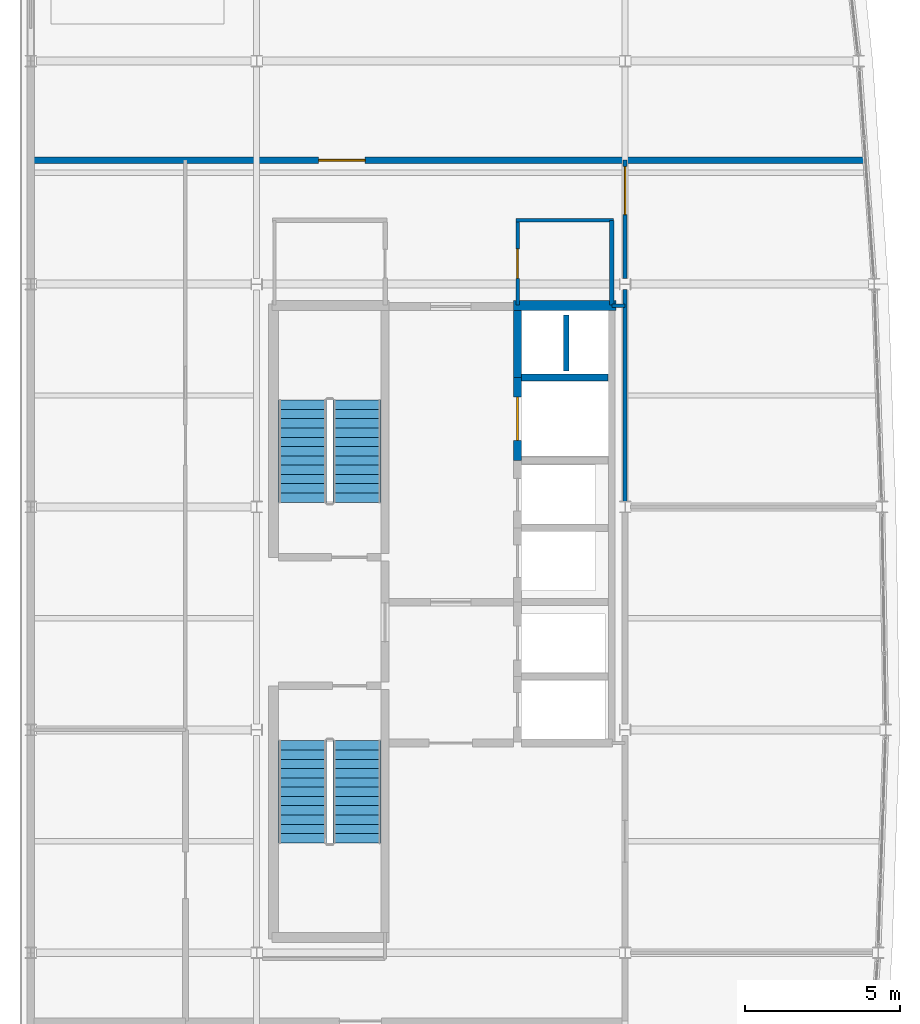
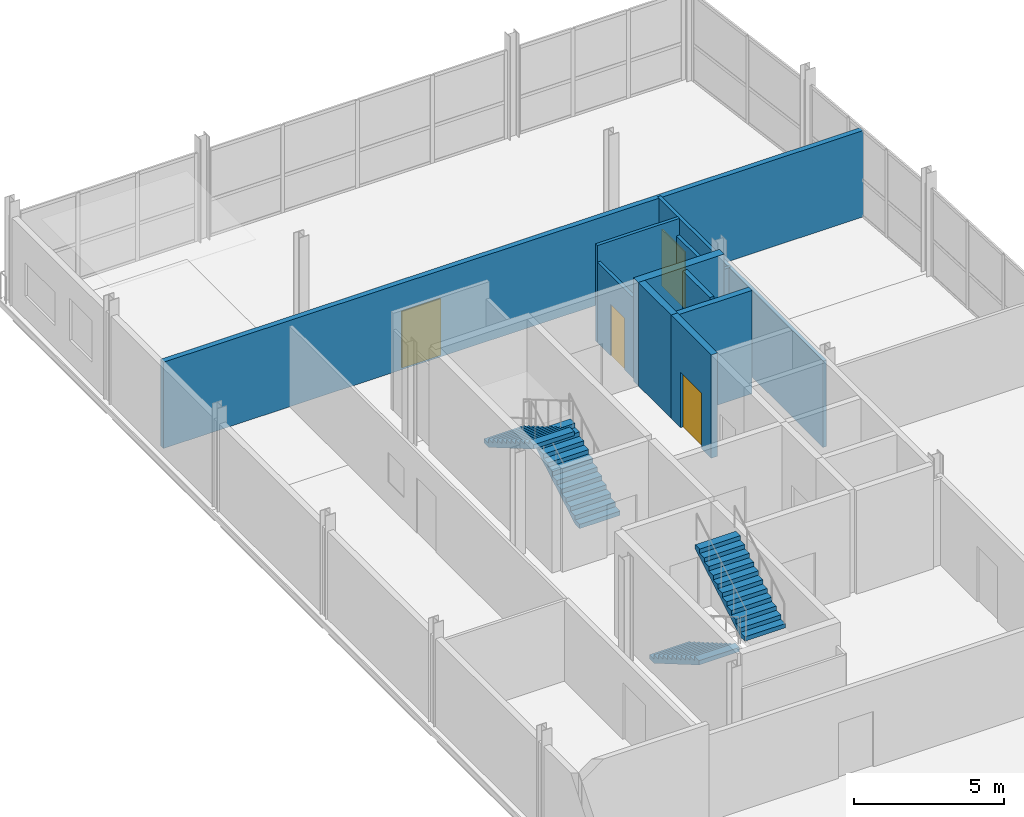
# One storey, part 17 of 20: 12 walls, 4 doors, 4 stair flights, 4 openings, 2 elements without a shape of their own.
"""IFC4 building model written with IfcOpenShell, lengths in metres."""

from ifc_helpers import new_model, si_unit, direction, frame, frame_2d, origin, place, context, subcontext, project, spatial, polyline, rectangle, outline, extrude, material, layer, layer_set, type_object, element, fill, aggregate, save


model = new_model("IFC4")

# Units and contexts
model_context = context("Model", 3, precision=1e-05, world=origin(), true_north=direction((0.0, 1.0)))
body_context = subcontext(model_context, "Body", "Model", "MODEL_VIEW")
ifc_project = project(units=[si_unit("LENGTHUNIT", "METRE"), si_unit("AREAUNIT", "SQUARE_METRE"), si_unit("VOLUMEUNIT", "CUBIC_METRE"), si_unit("PLANEANGLEUNIT", "RADIAN"), si_unit("MASSUNIT", "GRAM", prefix="KILO")], contexts=[model_context])

# Site, building, storey
site_placement = place(None, origin())
site = spatial("IfcSite", under=ifc_project, at=site_placement, CompositionType="ELEMENT")
building_placement = place(site_placement, origin())
building = spatial("IfcBuilding", under=site, at=building_placement, Name="Quillay Park Conservatory", CompositionType="ELEMENT")
storey_placement = place(building_placement, frame((0.0, 0.0, 26.699951171875)))
storey = spatial("IfcBuildingStorey", under=building, at=storey_placement, Name="L06", CompositionType="ELEMENT", Elevation=26.699951171875)

# Wall
ifc_material_1 = material(Name="Steel-Stud Acoustic Gypsum Board Partition", Category="steel")
ifc_layer_1 = layer(ifc_material_1, 0.114990234375)
ifc_layer_set_1 = layer_set([ifc_layer_1], Name="ACOUSTIC GYPSUM PARTITION 115 (Steel-Stud Acoustic Gypsum Board Partition)")
wall_type_1 = type_object("IfcWallType", Name="ACOUSTIC GYPSUM PARTITION 115", PredefinedType="PARTITIONING", material=ifc_layer_set_1)
wall_1_placement = place(storey_placement, frame((19.75, 98.89990234375, 0.0), z_axis=(0.0, 0.0, 1.0), x_axis=(-1.0, 0.0, 0.0)))
element("IfcWall", 1, at=wall_1_placement, inside=storey, type_object=wall_type_1, Name="L06 Core North-East Closure", PredefinedType="PARTITIONING", context=body_context, shape_type="SweptSolid", body=[
    extrude(rectangle(XDim=0.429931640625, YDim=0.114990234375, at=frame_2d((0.21484375, 0.0))), origin(), (0.0, 0.0, 1.0), 3.507080078125),
])

# Wall, opening, door
ifc_material_2 = material(Name="Steel-Stud Acoustic Gypsum Board Partition", Category="steel")
ifc_layer_2 = layer(ifc_material_2, 0.1201171875)
ifc_layer_set_2 = layer_set([ifc_layer_2], Name="ACOUSTIC GYPSUM PARTITION 120 (Steel-Stud Acoustic Gypsum Board Partition)")
wall_type_2 = type_object("IfcWallType", Name="ACOUSTIC GYPSUM PARTITION 120", PredefinedType="PARTITIONING", material=ifc_layer_set_2)
wall_2_placement = place(storey_placement, frame((16.280029296875, 98.919921875, 0.0), z_axis=(0.0, 0.0, 1.0), x_axis=(0.0, 1.0, 0.0)))
wall_2 = element("IfcWall", 2, at=wall_2_placement, inside=storey, type_object=wall_type_2, Name="L06 Washroom Door Wall", PredefinedType="PARTITIONING", context=body_context, shape_type="SweptSolid", body=[
    extrude(rectangle(XDim=2.68017578125, YDim=0.1201171875, at=frame_2d((1.340087890625, 0.0))), origin(), (0.0, 0.0, 1.0), 3.277099609375),
])
opening_1_placement = place(wall_2_placement, frame((0.864990234375, 0.0, 0.0)))
opening_1 = element("IfcOpeningElement", 3, at=opening_1_placement, cuts=wall_2, Name="Opening D-RM02", PredefinedType="OPENING", context=body_context, shape_type="SweptSolid", body=[
    extrude(rectangle(XDim=0.949951171875, YDim=2.10009765625, at=frame_2d((0.47509765625, 1.050048828125))), frame((0.0, 0.06005859375, 0.0), z_axis=(0.0, -1.0, 0.0), x_axis=(1.0, 0.0, 0.0)), (0.0, 0.0, 1.0), 0.1201171875),
])
ifc_material_3 = material(Name="Thermally Broken Anodised Aluminium 6063-T6", Category="aluminium")
door_type_1 = type_object("IfcDoorType", Name="SINGLE SWING DOOR 950 X2100", OperationType="NOTDEFINED", PredefinedType="DOOR", material=ifc_material_3)
door_1_placement = place(opening_1_placement, origin())
door_1 = element("IfcDoor", 4, at=door_1_placement, inside=storey, type_object=door_type_1, Name="L06 Door to L06 Restroom and Washroom", OperationType="SINGLE_SWING_RIGHT", OverallHeight=2.10009765625, OverallWidth=0.949951171875, PredefinedType="DOOR", context=body_context, shape_type="SweptSolid", body=[
    extrude(rectangle(XDim=0.949951171875, YDim=2.10009765625, at=frame_2d((0.47509765625, 1.050048828125))), frame((0.0, 0.02490234375, 0.0), z_axis=(0.0, -1.0, 0.0), x_axis=(1.0, 0.0, 0.0)), (0.0, 0.0, 1.0), 0.050048828125),
])
fill(opening_1, door_1)

# Walls
ifc_material_4 = material(Name="Steel-Stud Acoustic Gypsum Board Partition", Category="steel")
ifc_layer_3 = layer(ifc_material_4, 0.125)
ifc_layer_set_3 = layer_set([ifc_layer_3], Name="ACOUSTIC GYPSUM PARTITION 125 (Steel-Stud Acoustic Gypsum Board Partition)")
wall_type_3 = type_object("IfcWallType", Name="ACOUSTIC GYPSUM PARTITION 125", PredefinedType="PARTITIONING", material=ifc_layer_set_3)
wall_3_placement = place(storey_placement, frame((19.3798828125, 101.659912109375, 0.0), z_axis=(0.0, 0.0, 1.0), x_axis=(-1.0, 0.0, 0.0)))
element("IfcWall", 5, at=wall_3_placement, inside=storey, type_object=wall_type_3, Name="L06 Washroom North Wall", PredefinedType="PARTITIONING", context=body_context, shape_type="SweptSolid", body=[
    extrude(rectangle(XDim=3.159912109375, YDim=0.125, at=frame_2d((1.580078125, 0.0))), origin(), (0.0, 0.0, 1.0), 3.949951171875),
])
ifc_material_5 = material(Name="Steel-Stud Acoustic Gypsum Board Partition", Category="steel")
ifc_layer_4 = layer(ifc_material_5, 0.1298828125)
ifc_layer_set_4 = layer_set([ifc_layer_4], Name="ACOUSTIC GYPSUM PARTITION 130 (Steel-Stud Acoustic Gypsum Board Partition)")
wall_type_4 = type_object("IfcWallType", Name="ACOUSTIC GYPSUM PARTITION 130", PredefinedType="PARTITIONING", material=ifc_layer_set_4)
wall_4_placement = place(storey_placement, frame((19.320068359375, 98.919921875, 0.0), z_axis=(0.0, 0.0, 1.0), x_axis=(0.0, 1.0, 0.0)))
element("IfcWall", 6, at=wall_4_placement, inside=storey, type_object=wall_type_4, Name="L06 Washroom East Wall", PredefinedType="PARTITIONING", context=body_context, shape_type="SweptSolid", body=[
    extrude(rectangle(XDim=2.739990234375, YDim=0.1298828125, at=frame_2d((1.3701171875, 0.0))), origin(), (0.0, 0.0, 1.0), 3.277099609375),
])

# Wall, opening, door
wall_5_placement = place(storey_placement, frame((19.75, 99.781982421875, 0.0), z_axis=(0.0, 0.0, 1.0), x_axis=(0.0, 1.0, 0.0)))
wall_5 = element("IfcWall", 7, at=wall_5_placement, inside=storey, type_object=wall_type_4, Name="L06 L06 Vascular Loan Dispatch Studio West Wall 2", PredefinedType="PARTITIONING", context=body_context, shape_type="SweptSolid", body=[
    extrude(rectangle(XDim=3.818115234375, YDim=0.1298828125, at=frame_2d((1.9091796875, 0.0))), origin(), (0.0, 0.0, 1.0), 3.507080078125),
])
opening_2_placement = place(wall_5_placement, frame((2.06298828125, 0.0, 0.0)))
opening_2 = element("IfcOpeningElement", 8, at=opening_2_placement, cuts=wall_5, Name="Opening D-RM26", PredefinedType="OPENING", context=body_context, shape_type="SweptSolid", body=[
    extrude(rectangle(XDim=1.550048828125, YDim=2.300048828125, at=frame_2d((0.77490234375, 1.14990234375))), frame((0.0, 0.06494140625, 0.0), z_axis=(0.0, -1.0, 0.0), x_axis=(1.0, 0.0, 0.0)), (0.0, 0.0, 1.0), 0.1298828125),
])
ifc_material_6 = material(Name="Thermally Broken Anodised Aluminium 6063-T6", Category="aluminium")
door_type_2 = type_object("IfcDoorType", Name="SINGLE SWING DOOR 1550 X2300", OperationType="NOTDEFINED", PredefinedType="DOOR", material=ifc_material_6)
door_2_placement = place(opening_2_placement, origin())
door_2 = element("IfcDoor", 9, at=door_2_placement, inside=storey, type_object=door_type_2, Name="L06 Door to L06 Vascular Loan Dispatch Studio", OperationType="SINGLE_SWING_RIGHT", OverallHeight=2.300048828125, OverallWidth=1.550048828125, PredefinedType="DOOR", context=body_context, shape_type="SweptSolid", body=[
    extrude(rectangle(XDim=1.550048828125, YDim=2.300048828125, at=frame_2d((0.77490234375, 1.14990234375))), frame((0.0, 0.02490234375, 0.0), z_axis=(0.0, -1.0, 0.0), x_axis=(1.0, 0.0, 0.0)), (0.0, 0.0, 1.0), 0.050048828125),
])
fill(opening_2, door_2)

# Walls
ifc_material_7 = material(Name="Steel-Stud Acoustic Gypsum Board Partition", Category="steel")
ifc_layer_5 = layer(ifc_material_7, 0.139892578125)
ifc_layer_set_5 = layer_set([ifc_layer_5], Name="ACOUSTIC GYPSUM PARTITION 140 (Steel-Stud Acoustic Gypsum Board Partition)")
wall_type_5 = type_object("IfcWallType", Name="ACOUSTIC GYPSUM PARTITION 140", PredefinedType="PARTITIONING", material=ifc_layer_set_5)
wall_6_placement = place(storey_placement, frame((19.75, 92.5810546875, 0.0), z_axis=(0.0, 0.0, 1.0), x_axis=(0.0, 1.0, 0.0)))
element("IfcWall", 10, at=wall_6_placement, inside=storey, type_object=wall_type_5, Name="L06 L06 Vascular Loan Dispatch Studio West Wall 1", PredefinedType="PARTITIONING", context=body_context, shape_type="SweptSolid", body=[
    extrude(rectangle(XDim=6.8369140625, YDim=0.139892578125, at=frame_2d((3.41845703125, 0.0))), origin(), (0.0, 0.0, 1.0), 3.507080078125),
])
ifc_material_8 = material(Name="Concrete C35/45 (NCh170 Concrete C35/45)", Category="concrete")
ifc_layer_6 = layer(ifc_material_8, 0.22509765625)
ifc_layer_set_6 = layer_set([ifc_layer_6], Name="CORE SHEAR WALL 225 (Concrete C35/45 (NCh170 Concrete C35/45))")
wall_type_6 = type_object("IfcWallType", Name="CORE SHEAR WALL 225", PredefinedType="SHEAR", material=ifc_layer_set_6)
wall_7_placement = place(storey_placement, frame((16.39990234375, 96.574951171875, 0.0), z_axis=(0.0, 0.0, 1.0), x_axis=(1.0, 0.0, 0.0)))
element("IfcWall", 11, at=wall_7_placement, inside=storey, type_object=wall_type_6, Name="L06 Core Shear Wall WL-LFDIV-L06-965", PredefinedType="SHEAR", context=body_context, shape_type="SweptSolid", body=[
    extrude(rectangle(XDim=2.800048828125, YDim=0.22509765625, at=frame_2d((1.39990234375, 0.0))), origin(), (0.0, 0.0, 1.0), 4.199951171875),
])

# Wall, opening, door
ifc_material_9 = material(Name="Concrete C40/50 (NCh170 Concrete C40/50)", Category="concrete")
ifc_layer_7 = layer(ifc_material_9, 0.25)
ifc_layer_set_7 = layer_set([ifc_layer_7], Name="CORE SHEAR WALL 250 (Concrete C40/50 (NCh170 Concrete C40/50))")
wall_type_7 = type_object("IfcWallType", Name="CORE SHEAR WALL 250", PredefinedType="SHEAR", material=ifc_layer_set_7)
wall_8_placement = place(storey_placement, frame((16.27490234375, 93.89990234375, 0.0), z_axis=(0.0, 0.0, 1.0), x_axis=(0.0, 1.0, 0.0)))
wall_8 = element("IfcWall", 12, at=wall_8_placement, inside=storey, type_object=wall_type_7, Name="L06 Core Shear Wall WL-LFFR-L06-LF-G1", PredefinedType="SHEAR", context=body_context, shape_type="SweptSolid", body=[
    extrude(rectangle(XDim=2.675048828125, YDim=0.25, at=frame_2d((1.33740234375, 0.0))), origin(), (0.0, 0.0, 1.0), 4.199951171875),
])
opening_3_placement = place(wall_8_placement, frame((0.64990234375, 0.0, 0.0)))
opening_3 = element("IfcOpeningElement", 13, at=opening_3_placement, cuts=wall_8, Name="Opening LD03", PredefinedType="OPENING", context=body_context, shape_type="SweptSolid", body=[
    extrude(rectangle(XDim=1.39990234375, YDim=2.25, at=frame_2d((0.699951171875, 1.125))), frame((0.0, 0.125, 0.0), z_axis=(0.0, -1.0, 0.0), x_axis=(1.0, 0.0, 0.0)), (0.0, 0.0, 1.0), 0.25),
])
ifc_material_10 = material(Name="Steel ASTM A572 Grade 50", Category="steel")
door_type_3 = type_object("IfcDoorType", Name="LIFT LANDING SLIDING DOOR 1400 X2250", OperationType="NOTDEFINED", PredefinedType="DOOR", material=ifc_material_10)
door_3_placement = place(opening_3_placement, origin())
door_3 = element("IfcDoor", 14, at=door_3_placement, inside=storey, type_object=door_type_3, Name="L06 LF-G1 Lift Landing Door LD03", OperationType="SLIDING_TO_LEFT", OverallHeight=2.25, OverallWidth=1.39990234375, PredefinedType="DOOR", context=body_context, shape_type="SweptSolid", body=[
    extrude(rectangle(XDim=1.39990234375, YDim=2.25, at=frame_2d((0.699951171875, 1.125))), frame((0.0, 0.02490234375, 0.0), z_axis=(0.0, -1.0, 0.0), x_axis=(1.0, 0.0, 0.0)), (0.0, 0.0, 1.0), 0.050048828125),
])
fill(opening_3, door_3)

# Walls
wall_9_placement = place(storey_placement, frame((16.27490234375, 96.574951171875, 0.0), z_axis=(0.0, 0.0, 1.0), x_axis=(0.0, 1.0, 0.0)))
element("IfcWall", 15, at=wall_9_placement, inside=storey, type_object=wall_type_7, Name="L06 Core Shear Wall WL-MEPR-L06", PredefinedType="SHEAR", context=body_context, shape_type="SweptSolid", body=[
    extrude(rectangle(XDim=2.175048828125, YDim=0.25, at=frame_2d((1.08740234375, 0.0))), origin(), (0.0, 0.0, 1.0), 4.199951171875),
])
ifc_material_11 = material(Name="Concrete C40/50 (NCh170 Concrete C40/50)", Category="concrete")
ifc_layer_8 = layer(ifc_material_11, 0.320068359375)
ifc_layer_set_8 = layer_set([ifc_layer_8], Name="CORE SHEAR WALL 320 (Concrete C40/50 (NCh170 Concrete C40/50))")
wall_type_8 = type_object("IfcWallType", Name="CORE SHEAR WALL 320", PredefinedType="SHEAR", material=ifc_layer_set_8)
wall_10_placement = place(storey_placement, frame((16.14990234375, 98.909912109375, 0.0), z_axis=(0.0, 0.0, 1.0), x_axis=(1.0, 0.0, 0.0)))
element("IfcWall", 16, at=wall_10_placement, inside=storey, type_object=wall_type_8, Name="L06 Core Shear Wall WL-TCN-E-L06", PredefinedType="SHEAR", context=body_context, shape_type="SweptSolid", body=[
    extrude(rectangle(XDim=3.300048828125, YDim=0.320068359375, at=frame_2d((1.64990234375, 0.0))), origin(), (0.0, 0.0, 1.0), 4.199951171875),
])
ifc_material_12 = material(Name="Steel-Stud Acoustic Gypsum Board Partition", Category="steel")
ifc_layer_9 = layer(ifc_material_12, 0.1650390625)
ifc_layer_set_9 = layer_set([ifc_layer_9], Name="PLUMBING SHAFT WALL 165 (Steel-Stud Acoustic Gypsum Board Partition)")
wall_type_9 = type_object("IfcWallType", Name="PLUMBING SHAFT WALL 165", PredefinedType="PLUMBINGWALL", material=ifc_layer_set_9)
wall_11_placement = place(storey_placement, frame((17.85009765625, 96.800048828125, 0.0), z_axis=(0.0, 0.0, 1.0), x_axis=(0.0, 1.0, 0.0)))
element("IfcWall", 17, at=wall_11_placement, inside=storey, type_object=wall_type_9, Name="L06 Plumbing Riser Wall", PredefinedType="PLUMBINGWALL", context=body_context, shape_type="SweptSolid", body=[
    extrude(rectangle(XDim=1.800048828125, YDim=0.1650390625, at=frame_2d((0.89990234375, 0.0))), origin(), (0.0, 0.0, 1.0), 4.199951171875),
])

# Wall, opening, door
ifc_material_13 = material(Name="Concrete C35/45 (NCh170 Concrete C35/45)", Category="concrete")
ifc_layer_10 = layer(ifc_material_13, 0.199951171875)
ifc_layer_set_10 = layer_set([ifc_layer_10], Name="SOLID VAULT WALL 200 (Concrete C35/45 (NCh170 Concrete C35/45))")
wall_type_10 = type_object("IfcWallType", Name="SOLID VAULT WALL 200", PredefinedType="SOLIDWALL", material=ifc_layer_set_10)
wall_12_placement = place(storey_placement, frame((0.64990234375, 103.60009765625, 0.0), z_axis=(0.0, 0.0, 1.0), x_axis=(1.0, 0.0, 0.0)))
wall_12 = element("IfcWall", 18, at=wall_12_placement, inside=storey, type_object=wall_type_10, Name="L06 L06 Herbarium Compact Shelving Vault North South Wall", PredefinedType="SOLIDWALL", context=body_context, shape_type="SweptSolid", body=[
    extrude(rectangle(XDim=26.89013671875, YDim=0.199951171875, at=frame_2d((13.445068359375, 0.0))), origin(), (0.0, 0.0, 1.0), 3.507080078125),
])
opening_4_placement = place(wall_12_placement, frame((9.199951171875, 0.0, 0.0)))
opening_4 = element("IfcOpeningElement", 19, at=opening_4_placement, cuts=wall_12, Name="Opening D-HB02", PredefinedType="OPENING", context=body_context, shape_type="SweptSolid", body=[
    extrude(rectangle(XDim=1.5, YDim=2.300048828125, at=frame_2d((0.75, 1.14990234375))), frame((0.0, 0.10009765625, 0.0), z_axis=(0.0, -1.0, 0.0), x_axis=(1.0, 0.0, 0.0)), (0.0, 0.0, 1.0), 0.199951171875),
])
ifc_material_14 = material(Name="Steel ASTM A572 Grade 50", Category="steel")
door_type_4 = type_object("IfcDoorType", Name="FIRE RATED VAULT DOOR 1500 X2300", OperationType="NOTDEFINED", PredefinedType="DOOR", material=ifc_material_14)
door_4_placement = place(opening_4_placement, origin())
door_4 = element("IfcDoor", 20, at=door_4_placement, inside=storey, type_object=door_type_4, Name="L06 Door to L06 Herbarium Compact Shelving Vault North", OperationType="SINGLE_SWING_RIGHT", OverallHeight=2.300048828125, OverallWidth=1.5, PredefinedType="DOOR", context=body_context, shape_type="SweptSolid", body=[
    extrude(rectangle(XDim=1.5, YDim=2.300048828125, at=frame_2d((0.75, 1.14990234375))), frame((0.0, 0.02490234375, 0.0), z_axis=(0.0, -1.0, 0.0), x_axis=(1.0, 0.0, 0.0)), (0.0, 0.0, 1.0), 0.050048828125),
])
fill(opening_4, door_4)

# Stair, stair flights
ifc_material_15 = material(Name="Concrete C35/45 (NCh170 Concrete C35/45)", Category="concrete")
stair_type = type_object("IfcStairType", Name="ENCLOSED DOG LEG STAIR 4200", PredefinedType="HALF_TURN_STAIR", material=ifc_material_15)
stair_1_placement = place(storey_placement, origin())
stair_1 = element("IfcStair", 21, at=stair_1_placement, inside=storey, type_object=stair_type, Name="L06 Tower Protected Exit Stair 1", PredefinedType="HALF_TURN_STAIR")
ifc_material_16 = material(Name="Concrete C35/45 (NCh170 Concrete C35/45)", Category="concrete")
stair_flight_type = type_object("IfcStairFlightType", Name="STRAIGHT STAIR FLIGHT 4200", PredefinedType="STRAIGHT", material=ifc_material_16)
stair_flight_1_placement = place(storey_placement, frame((11.090087890625, 92.550048828125, 0.0), z_axis=(0.0, 0.0, 1.0), x_axis=(0.0, 1.0, 0.0)))
stair_flight_1 = element("IfcStairFlight", 22, at=stair_flight_1_placement, type_object=stair_flight_type, Name="ST-T1 flight 1", NumberOfRisers=12, NumberOfTreads=11, PredefinedType="STRAIGHT", RiserHeight=0.175, TreadLength=0.3, context=body_context, shape_type="SweptSolid", body=[
    extrude(outline(polyline([(0.0, 0.0), (0.0, 0.175048828125), (0.300048828125, 0.175048828125), (0.300048828125, 0.35009765625), (0.60009765625, 0.35009765625), (0.60009765625, 0.52490234375), (0.89990234375, 0.52490234375), (0.89990234375, 0.699951171875), (1.199951171875, 0.699951171875), (1.199951171875, 0.875), (1.5, 0.875), (1.5, 1.050048828125), (1.800048828125, 1.050048828125), (1.800048828125, 1.22509765625), (2.10009765625, 1.22509765625), (2.10009765625, 1.39990234375), (2.39990234375, 1.39990234375), (2.39990234375, 1.574951171875), (2.699951171875, 1.574951171875), (2.699951171875, 1.75), (3.0, 1.75), (3.0, 1.925048828125), (3.300048828125, 1.925048828125), (3.300048828125, 2.10009765625), (3.300048828125, 1.75146484375), (0.297607421875, 0.0), (0.0, 0.0)])), frame((0.0, 0.780029296875, 0.0), z_axis=(0.0, -1.0, 0.0), x_axis=(1.0, 0.0, 0.0)), (0.0, 0.0, 1.0), 1.56005859375),
])
stair_flight_2_placement = place(storey_placement, frame((9.330078125, 95.85009765625, 2.10009765625), z_axis=(0.0, 0.0, 1.0), x_axis=(0.0, -1.0, 0.0)))
stair_flight_2 = element("IfcStairFlight", 23, at=stair_flight_2_placement, type_object=stair_flight_type, Name="ST-T1 flight 2", NumberOfRisers=12, NumberOfTreads=11, PredefinedType="STRAIGHT", RiserHeight=0.175, TreadLength=0.3, context=body_context, shape_type="SweptSolid", body=[
    extrude(outline(polyline([(0.0, 0.0), (0.0, 0.175048828125), (0.300048828125, 0.175048828125), (0.300048828125, 0.35009765625), (0.60009765625, 0.35009765625), (0.60009765625, 0.52490234375), (0.89990234375, 0.52490234375), (0.89990234375, 0.699951171875), (1.199951171875, 0.699951171875), (1.199951171875, 0.875), (1.5, 0.875), (1.5, 1.050048828125), (1.800048828125, 1.050048828125), (1.800048828125, 1.22509765625), (2.10009765625, 1.22509765625), (2.10009765625, 1.39990234375), (2.39990234375, 1.39990234375), (2.39990234375, 1.574951171875), (2.699951171875, 1.574951171875), (2.699951171875, 1.75), (3.0, 1.75), (3.0, 1.925048828125), (3.300048828125, 1.925048828125), (3.300048828125, 2.10009765625), (3.300048828125, 1.75146484375), (0.297607421875, 0.0), (0.0, 0.0)])), frame((0.0, 0.780029296875, 0.0), z_axis=(0.0, -1.0, 0.0), x_axis=(1.0, 0.0, 0.0)), (0.0, 0.0, 1.0), 1.56005859375),
])
aggregate(stair_1, [stair_flight_1, stair_flight_2])

stair_2_placement = place(storey_placement, origin())
stair_2 = element("IfcStair", 24, at=stair_2_placement, inside=storey, type_object=stair_type, Name="L06 Tower Protected Exit Stair 2", PredefinedType="HALF_TURN_STAIR")
stair_flight_3_placement = place(storey_placement, frame((9.330078125, 84.85009765625, 0.0), z_axis=(0.0, 0.0, 1.0), x_axis=(0.0, -1.0, 0.0)))
stair_flight_3 = element("IfcStairFlight", 25, at=stair_flight_3_placement, type_object=stair_flight_type, Name="ST-T2 flight 1", NumberOfRisers=12, NumberOfTreads=11, PredefinedType="STRAIGHT", RiserHeight=0.175, TreadLength=0.3, context=body_context, shape_type="SweptSolid", body=[
    extrude(outline(polyline([(0.0, 0.0), (0.0, 0.175048828125), (0.300048828125, 0.175048828125), (0.300048828125, 0.35009765625), (0.60009765625, 0.35009765625), (0.60009765625, 0.52490234375), (0.89990234375, 0.52490234375), (0.89990234375, 0.699951171875), (1.199951171875, 0.699951171875), (1.199951171875, 0.875), (1.5, 0.875), (1.5, 1.050048828125), (1.800048828125, 1.050048828125), (1.800048828125, 1.22509765625), (2.10009765625, 1.22509765625), (2.10009765625, 1.39990234375), (2.39990234375, 1.39990234375), (2.39990234375, 1.574951171875), (2.699951171875, 1.574951171875), (2.699951171875, 1.75), (3.0, 1.75), (3.0, 1.925048828125), (3.300048828125, 1.925048828125), (3.300048828125, 2.10009765625), (3.300048828125, 1.75146484375), (0.297607421875, 0.0), (0.0, 0.0)])), frame((0.0, 0.780029296875, 0.0), z_axis=(0.0, -1.0, 0.0), x_axis=(1.0, 0.0, 0.0)), (0.0, 0.0, 1.0), 1.56005859375),
])
stair_flight_4_placement = place(storey_placement, frame((11.090087890625, 81.550048828125, 2.10009765625), z_axis=(0.0, 0.0, 1.0), x_axis=(0.0, 1.0, 0.0)))
stair_flight_4 = element("IfcStairFlight", 26, at=stair_flight_4_placement, type_object=stair_flight_type, Name="ST-T2 flight 2", NumberOfRisers=12, NumberOfTreads=11, PredefinedType="STRAIGHT", RiserHeight=0.175, TreadLength=0.3, context=body_context, shape_type="SweptSolid", body=[
    extrude(outline(polyline([(0.0, 0.0), (0.0, 0.175048828125), (0.300048828125, 0.175048828125), (0.300048828125, 0.35009765625), (0.60009765625, 0.35009765625), (0.60009765625, 0.52490234375), (0.89990234375, 0.52490234375), (0.89990234375, 0.699951171875), (1.199951171875, 0.699951171875), (1.199951171875, 0.875), (1.5, 0.875), (1.5, 1.050048828125), (1.800048828125, 1.050048828125), (1.800048828125, 1.22509765625), (2.10009765625, 1.22509765625), (2.10009765625, 1.39990234375), (2.39990234375, 1.39990234375), (2.39990234375, 1.574951171875), (2.699951171875, 1.574951171875), (2.699951171875, 1.75), (3.0, 1.75), (3.0, 1.925048828125), (3.300048828125, 1.925048828125), (3.300048828125, 2.10009765625), (3.300048828125, 1.75146484375), (0.297607421875, 0.0), (0.0, 0.0)])), frame((0.0, 0.780029296875, 0.0), z_axis=(0.0, -1.0, 0.0), x_axis=(1.0, 0.0, 0.0)), (0.0, 0.0, 1.0), 1.56005859375),
])
aggregate(stair_2, [stair_flight_3, stair_flight_4])

save(model, "model.ifc")
